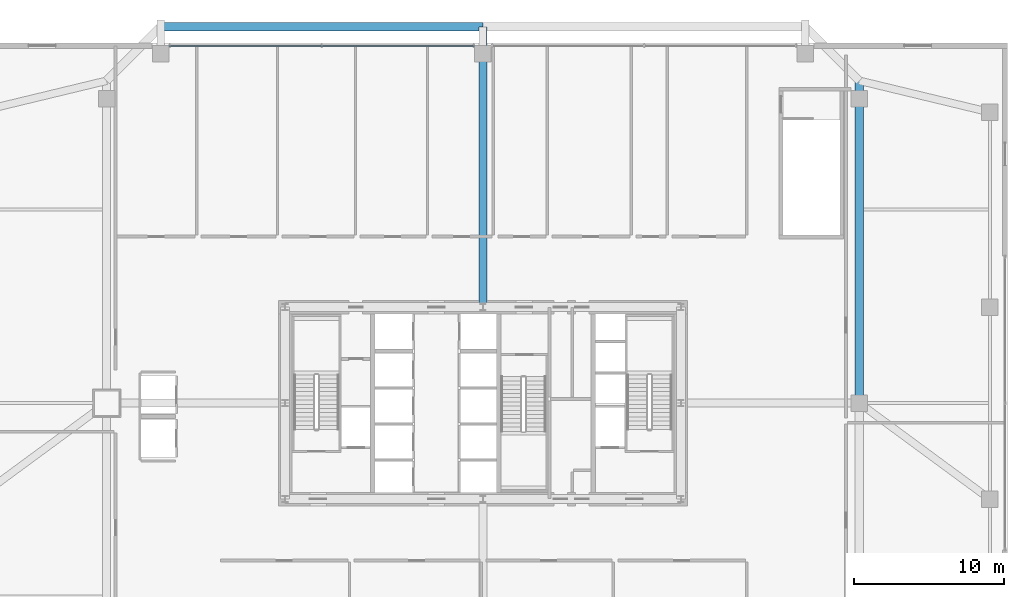
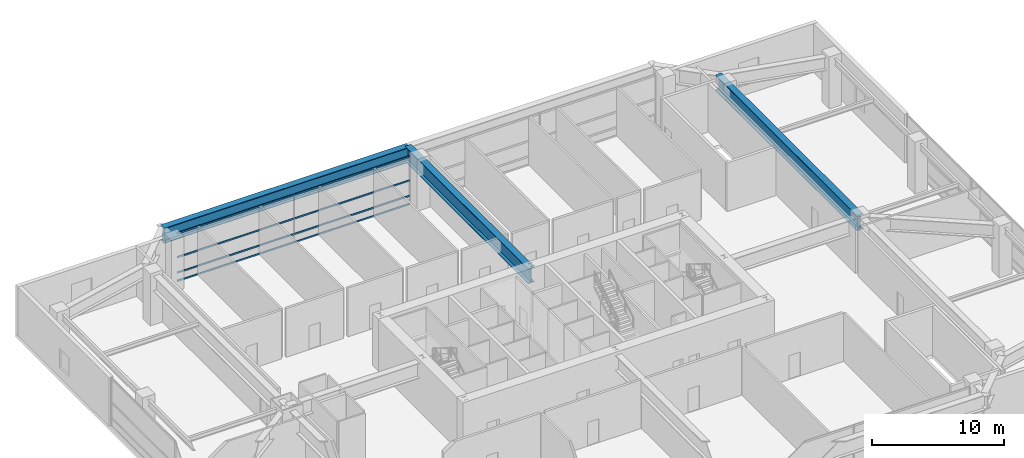
# One storey, part 20 of 34: 4 members, 3 beams, 1 element without a shape of its own.
"""IFC4 building model written with IfcOpenShell, lengths in metres."""

from ifc_helpers import new_model, si_unit, direction, frame, origin, origin_2d, place, context, subcontext, project, spatial, hollow_rectangle, i_section, extrude, source, transform, mapped, material, layer, layer_set, material_profile, profile_set, type_object, element, aggregate, save


model = new_model("IFC4")

# Units and contexts
model_context = context("Model", 3, precision=1e-05, world=origin(), true_north=direction((0.0, 1.0)))
body_context = subcontext(model_context, "Body", "Model", "MODEL_VIEW")
ifc_project = project(units=[si_unit("LENGTHUNIT", "METRE"), si_unit("AREAUNIT", "SQUARE_METRE"), si_unit("VOLUMEUNIT", "CUBIC_METRE"), si_unit("PLANEANGLEUNIT", "RADIAN"), si_unit("MASSUNIT", "GRAM", prefix="KILO"), si_unit("THERMODYNAMICTEMPERATUREUNIT", "KELVIN"), si_unit("POWERUNIT", "WATT")], contexts=[model_context])

# Site, building, storey
site_placement = place(None, origin())
site = spatial("IfcSite", under=ifc_project, at=site_placement, CompositionType="ELEMENT")
building_placement = place(site_placement, origin())
building = spatial("IfcBuilding", under=site, at=building_placement, Name="Yuzanri Waterfront Tower", CompositionType="ELEMENT")
storey_placement = place(building_placement, frame((0.0, 0.0, 25.800048828125)))
storey = spatial("IfcBuildingStorey", under=building, at=storey_placement, Name="L06", CompositionType="ELEMENT", Elevation=25.800048828125)

# Beams
ifc_material_1 = material(Name="Steel Q420GJC", Category="steel")
ifc_material_profile_1 = material_profile(ifc_material_1, i_section(OverallWidth=0.550048828125, OverallDepth=1.39990234375, WebThickness=0.030029296875, FlangeThickness=0.054931640625, at=origin_2d()), Name="PG 1400x550x30x55")
ifc_profile_set_1 = profile_set([ifc_material_profile_1], Name="Steel Q420GJC")
beam_type = type_object("IfcBeamType", Name="Tower Base Transfer Girder Q420GJC PG 1400x550", PredefinedType="USERDEFINED", material=ifc_profile_set_1)
shared_shape_1 = source(origin(), body_context, "Body", "SweptSolid", [
    extrude(i_section(OverallWidth=0.550048828125, OverallDepth=1.39990234375, WebThickness=0.030029296875, FlangeThickness=0.054931640625, at=origin_2d()), origin(), (0.0, 0.0, 1.0), 21.5),
])
for number, where, z_axis, x_axis, name in (
    (1, (62.10009765625, 25.800048828125, 3.800048828125), (0.0, 1.0, 0.0), (-1.0, 0.0, 0.0), "L06 Tower Base Ring E2-E3"),
    (2, (37.0, 50.89990234375, 3.800048828125), (-1.0, 0.0, 0.0), (0.0, -1.0, 0.0), "L06 Tower Base Ring N2-N1"),
):
    element("IfcBeam", number, at=place(storey_placement, frame(where, z_axis=z_axis, x_axis=x_axis)), inside=storey, type_object=beam_type, Name=name, ObjectType="GIRDER", PredefinedType="USERDEFINED", context=body_context, shape_type="MappedRepresentation", body=[
        mapped(shared_shape_1, transform((0.0, 0.0, 0.0), scale=1.0)),
    ])
shared_shape_2 = source(origin(), body_context, "Body", "SweptSolid", [
    extrude(i_section(OverallWidth=0.550048828125, OverallDepth=1.39990234375, WebThickness=0.030029296875, FlangeThickness=0.054931640625, at=origin_2d()), origin(), (0.0, 0.0, 1.0), 18.699951171875),
])
beam_placement = place(storey_placement, frame((37.0, 32.199951171875, 3.800048828125), z_axis=(0.0, 1.0, 0.0), x_axis=(-1.0, 0.0, 0.0)))
element("IfcBeam", 3, at=beam_placement, inside=storey, type_object=beam_type, Name="L06 Tower Base Transfer N2A", ObjectType="GIRDER", PredefinedType="USERDEFINED", context=body_context, shape_type="MappedRepresentation", body=[
    mapped(shared_shape_2, transform((0.0, 0.0, 0.0), scale=1.0)),
])

# Curtain wall, members
ifc_material_2 = material(Name="Anodized Architectural Bronze", Category="metal")
ifc_layer = layer(ifc_material_2, 0.159912109375)
ifc_layer_set = layer_set([ifc_layer], Name="Anodized Architectural Bronze")
curtain_wall_type = type_object("IfcCurtainWallType", Name="Anodized Bronze Podium Waterfront Double-Height Unitized Curtain Wall 8400", PredefinedType="NOTDEFINED", material=ifc_layer_set)
curtain_wall_placement = place(storey_placement, origin())
curtain_wall = element("IfcCurtainWall", 4, at=curtain_wall_placement, inside=storey, type_object=curtain_wall_type, Name="L06 Curtain Wall CW-L06-N1", PredefinedType="NOTDEFINED")
ifc_material_3 = material(Name="Anodized Architectural Bronze", Category="metal")
ifc_material_profile_2 = material_profile(ifc_material_3, hollow_rectangle(XDim=0.074951171875, YDim=0.14990234375, WallThickness=0.00390625, at=origin_2d()), Name="CWT 75x150")
ifc_profile_set_2 = profile_set([ifc_material_profile_2], Name="Anodized Architectural Bronze")
member_type = type_object("IfcMemberType", Name="Anodized Bronze Primary Curtain-Wall Transom 75x150", PredefinedType="USERDEFINED", material=ifc_profile_set_2)
shared_shape_3 = source(origin(), body_context, "Body", "SweptSolid", [
    extrude(hollow_rectangle(XDim=0.074951171875, YDim=0.14990234375, WallThickness=0.00390625, at=origin_2d()), origin(), (0.0, 0.0, 1.0), 20.35986328125),
])
member_1_placement = place(storey_placement, frame((16.070068359375, 49.6201171875, 0.050048828125), z_axis=(1.0, 0.0, 0.0), x_axis=(0.0, 1.0, 0.0)))
member_1 = element("IfcMember", 5, at=member_1_placement, type_object=member_type, Name="CW-L06-N1 Transom 1", ObjectType="TRANSOM", PredefinedType="USERDEFINED", context=body_context, shape_type="MappedRepresentation", body=[
    mapped(shared_shape_3, transform((0.0, 0.0, 0.0), scale=1.0)),
])
member_2_placement = place(storey_placement, frame((16.070068359375, 49.6201171875, 0.820068359375), z_axis=(1.0, 0.0, 0.0), x_axis=(0.0, 1.0, 0.0)))
member_2 = element("IfcMember", 6, at=member_2_placement, type_object=member_type, Name="CW-L06-N1 Transom 2", ObjectType="TRANSOM", PredefinedType="USERDEFINED", context=body_context, shape_type="MappedRepresentation", body=[
    mapped(shared_shape_3, transform((0.0, 0.0, 0.0), scale=1.0)),
])
member_3_placement = place(storey_placement, frame((16.070068359375, 49.6201171875, 2.25), z_axis=(1.0, 0.0, 0.0), x_axis=(0.0, 1.0, 0.0)))
member_3 = element("IfcMember", 7, at=member_3_placement, type_object=member_type, Name="CW-L06-N1 Transom 3", ObjectType="TRANSOM", PredefinedType="USERDEFINED", context=body_context, shape_type="MappedRepresentation", body=[
    mapped(shared_shape_3, transform((0.0, 0.0, 0.0), scale=1.0)),
])
member_4_placement = place(storey_placement, frame((16.070068359375, 49.6201171875, 4.449951171875), z_axis=(1.0, 0.0, 0.0), x_axis=(0.0, 1.0, 0.0)))
member_4 = element("IfcMember", 8, at=member_4_placement, type_object=member_type, Name="CW-L06-N1 Transom 4", ObjectType="TRANSOM", PredefinedType="USERDEFINED", context=body_context, shape_type="MappedRepresentation", body=[
    mapped(shared_shape_3, transform((0.0, 0.0, 0.0), scale=1.0)),
])
aggregate(curtain_wall, [member_1, member_2, member_3, member_4])

save(model, "model.ifc")
